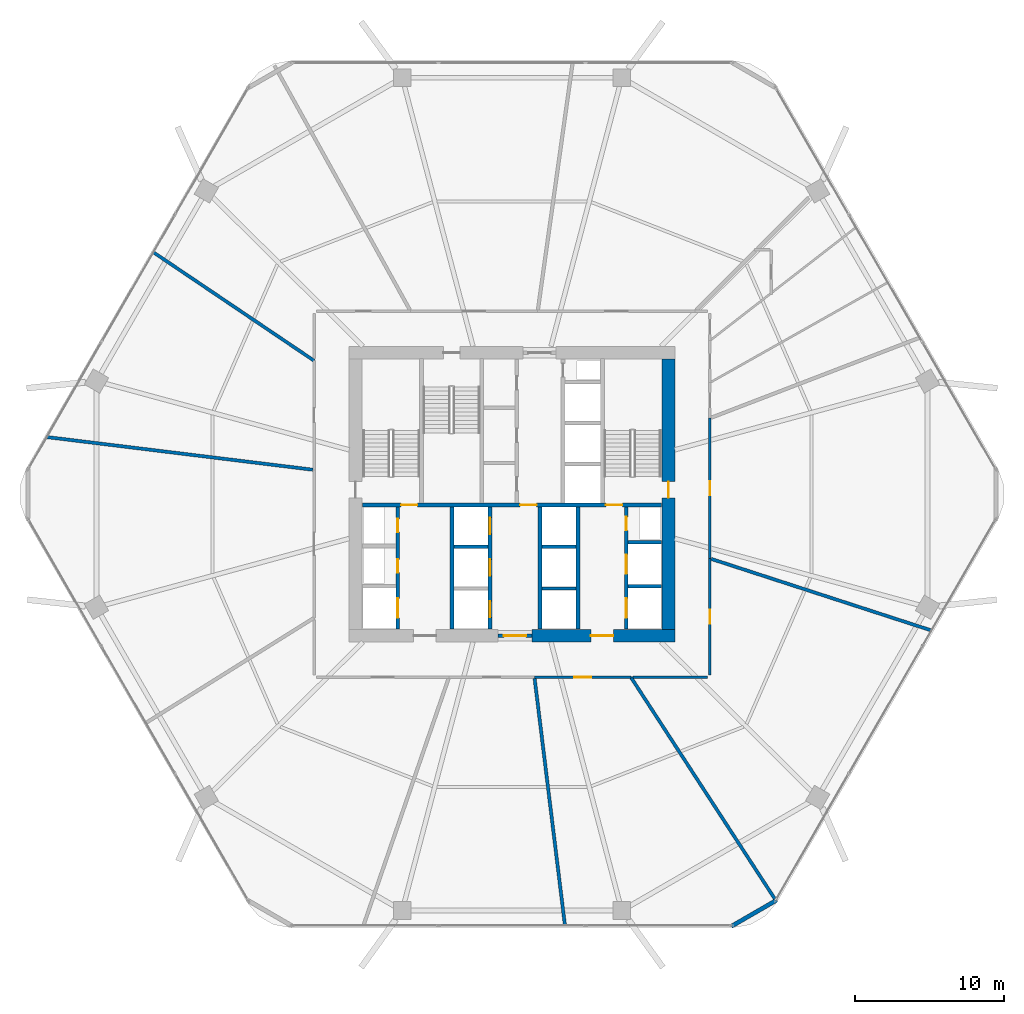
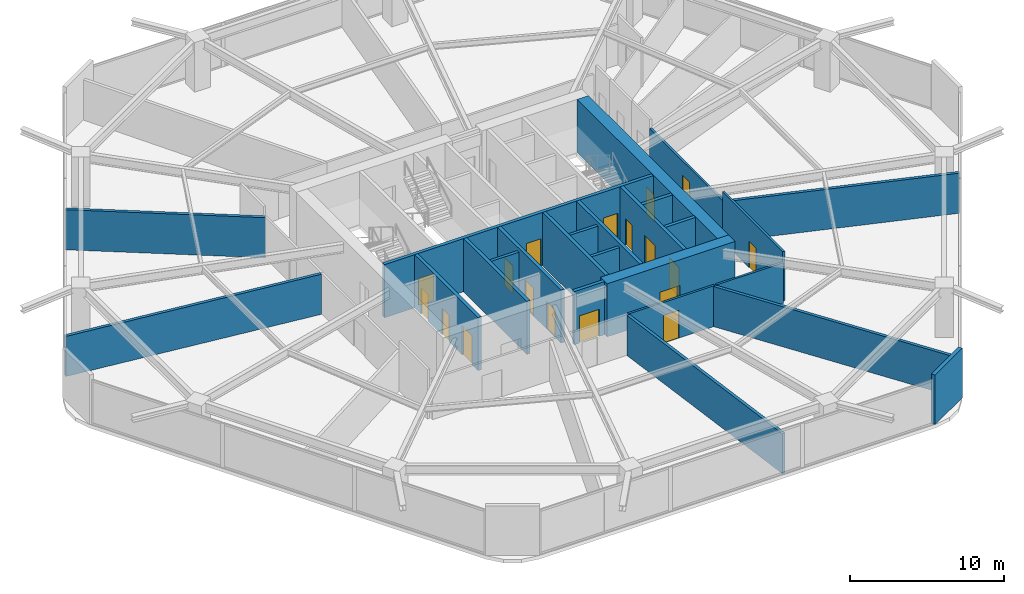
# One storey, part 22 of 25: 25 walls, 18 doors, 18 openings.
"""IFC4 building model written with IfcOpenShell, lengths in metres."""

from ifc_helpers import new_model, si_unit, direction, frame, frame_2d, origin, place, context, subcontext, project, spatial, rectangle, extrude, material, layer, layer_set, type_object, element, fill, save


model = new_model("IFC4")

# Units and contexts
model_context = context("Model", 3, precision=1e-05, world=origin(), true_north=direction((0.0, 1.0)))
body_context = subcontext(model_context, "Body", "Model", "MODEL_VIEW")
ifc_project = project(units=[si_unit("LENGTHUNIT", "METRE"), si_unit("AREAUNIT", "SQUARE_METRE"), si_unit("VOLUMEUNIT", "CUBIC_METRE"), si_unit("PLANEANGLEUNIT", "RADIAN"), si_unit("MASSUNIT", "GRAM", prefix="KILO")], contexts=[model_context])

# Site, building, storey
site_placement = place(None, origin())
site = spatial("IfcSite", under=ifc_project, at=site_placement, CompositionType="ELEMENT")
building_placement = place(site_placement, origin())
building = spatial("IfcBuilding", under=site, at=building_placement, Name="Zuhravey Tower", CompositionType="ELEMENT")
storey_placement = place(building_placement, frame((0.0, 0.0, 20.39990234375)))
storey = spatial("IfcBuildingStorey", under=building, at=storey_placement, Name="L05", CompositionType="ELEMENT", Elevation=20.39990234375)

# Wall, opening, door
ifc_material_1 = material(Name="Concrete C60/75", Category="concrete")
ifc_layer_1 = layer(ifc_material_1, 0.85009765625)
ifc_layer_set_1 = layer_set([ifc_layer_1], Name="Concrete C60/75")
wall_type_1 = type_object("IfcWallType", Name="Core Shear Wall 850", PredefinedType="SHEAR", material=ifc_layer_set_1)
wall_1_placement = place(storey_placement, frame((37.35009765625, 22.5, 0.0), z_axis=(0.0, 0.0, 1.0), x_axis=(1.0, 0.0, 0.0)))
wall_1 = element("IfcWall", 1, at=wall_1_placement, inside=storey, type_object=wall_type_1, Name="L05 South-East Core Shear Wall CW85", PredefinedType="SHEAR", context=body_context, shape_type="SweptSolid", body=[
    extrude(rectangle(XDim=9.574951171875, YDim=0.85009765625, at=frame_2d((4.78759765625, 0.0))), origin(), (0.0, 0.0, 1.0), 4.2001953125),
])
opening_1_placement = place(wall_1_placement, frame((3.949951171875, 0.0, 0.0)))
opening_1 = element("IfcOpeningElement", 2, at=opening_1_placement, cuts=wall_1, Name="Opening FFD1", PredefinedType="OPENING", context=body_context, shape_type="SweptSolid", body=[
    extrude(rectangle(XDim=1.5, YDim=2.14990234375, at=frame_2d((0.75, 1.074951171875))), frame((0.0, 0.43701171875, 0.0), z_axis=(0.0, -1.0, 0.0), x_axis=(1.0, 0.0, 0.0)), (0.0, 0.0, 1.0), 0.8740234375),
])
ifc_material_2 = material(Name="Galvanised fire-rated steel leaf", Category="steel")
door_type_1 = type_object("IfcDoorType", Name="Firefighting Lobby Double Door 1500x2150", OperationType="DOUBLE_DOOR_SINGLE_SWING", PredefinedType="DOOR", material=ifc_material_2)
door_1_placement = place(opening_1_placement, origin())
door_1 = element("IfcDoor", 3, at=door_1_placement, inside=storey, type_object=door_type_1, Name="L05 Firefighting Lobby East Door", OperationType="DOUBLE_DOOR_SINGLE_SWING", OverallHeight=2.14990234375, OverallWidth=1.5, PredefinedType="DOOR", context=body_context, shape_type="SweptSolid", body=[
    extrude(rectangle(XDim=1.5, YDim=2.14990234375, at=frame_2d((0.75, 1.074951171875))), frame((0.0, 0.02490234375, 0.0), z_axis=(0.0, -1.0, 0.0), x_axis=(1.0, 0.0, 0.0)), (0.0, 0.0, 1.0), 0.050048828125),
])
fill(opening_1, door_1)

wall_2_placement = place(storey_placement, frame((46.5, 22.925048828125, 0.0), z_axis=(0.0, 0.0, 1.0), x_axis=(0.0, 1.0, 0.0)))
wall_2 = element("IfcWall", 4, at=wall_2_placement, inside=storey, type_object=wall_type_1, Name="L05 East Core Shear Wall CW85", PredefinedType="SHEAR", context=body_context, shape_type="SweptSolid", body=[
    extrude(rectangle(XDim=18.14990234375, YDim=0.85009765625, at=frame_2d((9.074951171875, 0.0))), origin(), (0.0, 0.0, 1.0), 4.2001953125),
])
opening_2_placement = place(wall_2_placement, frame((8.824951171875, 0.0, 0.0)))
opening_2 = element("IfcOpeningElement", 5, at=opening_2_placement, cuts=wall_2, Name="Opening STD1", PredefinedType="OPENING", context=body_context, shape_type="SweptSolid", body=[
    extrude(rectangle(XDim=1.10009765625, YDim=2.14990234375, at=frame_2d((0.550048828125, 1.074951171875))), frame((0.0, 0.43701171875, 0.0), z_axis=(0.0, -1.0, 0.0), x_axis=(1.0, 0.0, 0.0)), (0.0, 0.0, 1.0), 0.8740234375),
])
door_type_2 = type_object("IfcDoorType", Name="Protected Stair Fire Door 1100x2150", OperationType="NOTDEFINED", PredefinedType="USERDEFINED", material=ifc_material_2)
door_2_placement = place(opening_2_placement, origin())
door_2 = element("IfcDoor", 6, at=door_2_placement, inside=storey, type_object=door_type_2, Name="L05 Stair ST2 Door", ObjectType="EXITDOOR", OperationType="SINGLE_SWING_LEFT", OverallHeight=2.14990234375, OverallWidth=1.10009765625, PredefinedType="USERDEFINED", context=body_context, shape_type="SweptSolid", body=[
    extrude(rectangle(XDim=1.10009765625, YDim=2.14990234375, at=frame_2d((0.550048828125, 1.074951171875))), frame((0.0, 0.02490234375, 0.0), z_axis=(0.0, -1.0, 0.0), x_axis=(1.0, 0.0, 0.0)), (0.0, 0.0, 1.0), 0.050048828125),
])
fill(opening_2, door_2)

ifc_material_3 = material(Name="Gypsum fire-rated stud partition")
ifc_layer_2 = layer(ifc_material_3, 0.159912109375)
ifc_layer_set_2 = layer_set([ifc_layer_2], Name="Gypsum fire-rated stud partition")
wall_type_2 = type_object("IfcWallType", Name="Corridor Fire Partition 160", PredefinedType="PARTITIONING", material=ifc_layer_set_2)
wall_3_placement = place(storey_placement, frame((37.50830078125, 19.715087890625, 0.0), z_axis=(0.0, 0.0, 1.0), x_axis=(1.0, 0.0, 0.0)))
wall_3 = element("IfcWall", 7, at=wall_3_placement, inside=storey, type_object=wall_type_2, Name="L05 IW16 Partition 030", PredefinedType="PARTITIONING", context=body_context, shape_type="SweptSolid", body=[
    extrude(rectangle(XDim=6.4697265625, YDim=0.159912109375, at=frame_2d((3.23486328125, 0.0))), origin(), (0.0, 0.0, 1.0), 3.22021484375),
])
opening_3_placement = place(wall_3_placement, frame((2.659912109375, 0.0, 0.0)))
opening_3 = element("IfcOpeningElement", 8, at=opening_3_placement, cuts=wall_3, Name="Opening CLD1", PredefinedType="OPENING", context=body_context, shape_type="SweptSolid", body=[
    extrude(rectangle(XDim=1.14990234375, YDim=2.199951171875, at=frame_2d((0.574951171875, 1.10009765625))), frame((0.0, 0.092041015625, 0.0), z_axis=(0.0, -1.0, 0.0), x_axis=(1.0, 0.0, 0.0)), (0.0, 0.0, 1.0), 0.183837890625),
])
ifc_material_4 = material(Name="Acoustic timber leaf with vision lite", Category="wood")
door_type_3 = type_object("IfcDoorType", Name="Classroom Acoustic Door 1150x2200", OperationType="NOTDEFINED", PredefinedType="DOOR", material=ifc_material_4)
door_3_placement = place(opening_3_placement, frame((1.14990234375, 0.0, 0.0), z_axis=(0.0, 0.0, 1.0), x_axis=(-1.0, 0.0, 0.0)))
door_3 = element("IfcDoor", 9, at=door_3_placement, inside=storey, type_object=door_type_3, Name="L05 Door 030.1", OperationType="SINGLE_SWING_RIGHT", OverallHeight=2.199951171875, OverallWidth=1.14990234375, PredefinedType="DOOR", context=body_context, shape_type="SweptSolid", body=[
    extrude(rectangle(XDim=1.14990234375, YDim=2.199951171875, at=frame_2d((0.574951171875, 1.10009765625))), frame((0.0, 0.02490234375, 0.0), z_axis=(0.0, -1.0, 0.0), x_axis=(1.0, 0.0, 0.0)), (0.0, 0.0, 1.0), 0.050048828125),
])
fill(opening_3, door_3)

wall_4_placement = place(storey_placement, frame((49.284912109375, 19.875, 0.0), z_axis=(0.0, 0.0, 1.0), x_axis=(0.0, 1.0, 0.0)))
wall_4 = element("IfcWall", 10, at=wall_4_placement, inside=storey, type_object=wall_type_2, Name="L05 IW16 Partition 031", PredefinedType="PARTITIONING", context=body_context, shape_type="SweptSolid", body=[
    extrude(rectangle(XDim=7.808349609375, YDim=0.159912109375, at=frame_2d((3.904296875, 0.0))), origin(), (0.0, 0.0, 1.0), 3.920166015625),
])
opening_4_placement = place(wall_4_placement, frame((3.42919921875, 0.0, 0.0)))
opening_4 = element("IfcOpeningElement", 11, at=opening_4_placement, cuts=wall_4, Name="Opening IND1", PredefinedType="OPENING", context=body_context, shape_type="SweptSolid", body=[
    extrude(rectangle(XDim=0.949951171875, YDim=2.10009765625, at=frame_2d((0.47509765625, 1.050048828125))), frame((0.0, 0.092041015625, 0.0), z_axis=(0.0, -1.0, 0.0), x_axis=(1.0, 0.0, 0.0)), (0.0, 0.0, 1.0), 0.183837890625),
])
ifc_material_5 = material(Name="Painted engineered timber leaf", Category="wood")
door_type_4 = type_object("IfcDoorType", Name="Internal Room & Bedroom Door 950x2100", OperationType="NOTDEFINED", PredefinedType="DOOR", material=ifc_material_5)
door_4_placement = place(opening_4_placement, frame((0.949951171875, 0.0, 0.0), z_axis=(0.0, 0.0, 1.0), x_axis=(-1.0, 0.0, 0.0)))
door_4 = element("IfcDoor", 12, at=door_4_placement, inside=storey, type_object=door_type_4, Name="L05 Door 031.1", OperationType="SINGLE_SWING_LEFT", OverallHeight=2.10009765625, OverallWidth=0.949951171875, PredefinedType="DOOR", context=body_context, shape_type="SweptSolid", body=[
    extrude(rectangle(XDim=0.949951171875, YDim=2.10009765625, at=frame_2d((0.47509765625, 1.050048828125))), frame((0.0, 0.02490234375, 0.0), z_axis=(0.0, -1.0, 0.0), x_axis=(1.0, 0.0, 0.0)), (0.0, 0.0, 1.0), 0.050048828125),
])
fill(opening_4, door_4)

wall_5_placement = place(storey_placement, frame((49.284912109375, 27.683349609375, 0.0), z_axis=(0.0, 0.0, 1.0), x_axis=(0.0, 1.0, 0.0)))
wall_5 = element("IfcWall", 13, at=wall_5_placement, inside=storey, type_object=wall_type_2, Name="L05 IW16 Partition 032", PredefinedType="PARTITIONING", context=body_context, shape_type="SweptSolid", body=[
    extrude(rectangle(XDim=9.416259765625, YDim=0.159912109375, at=frame_2d((4.7080078125, 0.0))), origin(), (0.0, 0.0, 1.0), 3.22021484375),
])
opening_5_placement = place(wall_5_placement, frame((4.233154296875, 0.0, 0.0)))
opening_5 = element("IfcOpeningElement", 14, at=opening_5_placement, cuts=wall_5, Name="Opening IND1", PredefinedType="OPENING", context=body_context, shape_type="SweptSolid", body=[
    extrude(rectangle(XDim=0.949951171875, YDim=2.10009765625, at=frame_2d((0.47509765625, 1.050048828125))), frame((0.0, 0.092041015625, 0.0), z_axis=(0.0, -1.0, 0.0), x_axis=(1.0, 0.0, 0.0)), (0.0, 0.0, 1.0), 0.183837890625),
])
door_5_placement = place(opening_5_placement, frame((0.949951171875, 0.0, 0.0), z_axis=(0.0, 0.0, 1.0), x_axis=(-1.0, 0.0, 0.0)))
door_5 = element("IfcDoor", 15, at=door_5_placement, inside=storey, type_object=door_type_4, Name="L05 Door 032.1", OperationType="SINGLE_SWING_RIGHT", OverallHeight=2.10009765625, OverallWidth=0.949951171875, PredefinedType="DOOR", context=body_context, shape_type="SweptSolid", body=[
    extrude(rectangle(XDim=0.949951171875, YDim=2.10009765625, at=frame_2d((0.47509765625, 1.050048828125))), frame((0.0, 0.02490234375, 0.0), z_axis=(0.0, -1.0, 0.0), x_axis=(1.0, 0.0, 0.0)), (0.0, 0.0, 1.0), 0.050048828125),
])
fill(opening_5, door_5)

# Walls
wall_6_placement = place(storey_placement, frame((44.11865234375, 19.715087890625, 0.0), z_axis=(0.0, 0.0, 1.0), x_axis=(1.0, 0.0, 0.0)))
element("IfcWall", 16, at=wall_6_placement, inside=storey, type_object=wall_type_2, Name="L05 IW16 Partition 061", PredefinedType="PARTITIONING", context=body_context, shape_type="SweptSolid", body=[
    extrude(rectangle(XDim=5.00634765625, YDim=0.159912109375, at=frame_2d((2.503173828125, 0.0))), origin(), (0.0, 0.0, 1.0), 3.22021484375),
])
ifc_material_6 = material(Name="Precast concrete C40/50", Category="concrete")
ifc_layer_3 = layer(ifc_material_6, 0.280029296875)
ifc_layer_set_3 = layer_set([ifc_layer_3], Name="Precast concrete C40/50")
wall_type_3 = type_object("IfcWallType", Name="Crown Architectural Wall 280", PredefinedType="SOLIDWALL", material=ifc_layer_set_3)
wall_7_placement = place(storey_placement, frame((53.76123046875, 4.75146484375, 0.0), z_axis=(0.0, 0.0, 1.0), x_axis=(-0.866007452331, -0.500031091541, 0.0)))
element("IfcWall", 17, at=wall_7_placement, inside=storey, type_object=wall_type_3, Name="L05 Rounded Corner Closure Wall EW28-02", PredefinedType="SOLIDWALL", context=body_context, shape_type="SweptSolid", body=[
    extrude(rectangle(XDim=3.514892578125, YDim=0.280029296875, at=frame_2d((1.75732421875, 0.0))), origin(), (0.0, 0.0, 1.0), 3.920166015625),
])

# Wall, opening, door
ifc_material_7 = material(Name="Concrete C50/60", Category="concrete")
ifc_layer_4 = layer(ifc_material_7, 0.25)
ifc_layer_set_4 = layer_set([ifc_layer_4], Name="Concrete C50/60")
wall_type_4 = type_object("IfcWallType", Name="Firefighting Shaft & Stair Wall 250", PredefinedType="SOLIDWALL", material=ifc_layer_set_4)
wall_8_placement = place(storey_placement, frame((35.06005859375, 22.5, 0.0), z_axis=(0.0, 0.0, 1.0), x_axis=(1.0, 0.0, 0.0)))
wall_8 = element("IfcWall", 18, at=wall_8_placement, inside=storey, type_object=wall_type_4, Name="L05 FW25 Shaft Wall 001", PredefinedType="SOLIDWALL", context=body_context, shape_type="SweptSolid", body=[
    extrude(rectangle(XDim=2.280029296875, YDim=0.25, at=frame_2d((1.14013671875, 0.0))), origin(), (0.0, 0.0, 1.0), 4.2001953125),
])
opening_6_placement = place(wall_8_placement, frame((0.389892578125, 0.0, 0.0)))
opening_6 = element("IfcOpeningElement", 19, at=opening_6_placement, cuts=wall_8, Name="Opening FFD1", PredefinedType="OPENING", context=body_context, shape_type="SweptSolid", body=[
    extrude(rectangle(XDim=1.5, YDim=2.14990234375, at=frame_2d((0.75, 1.074951171875))), frame((0.0, 0.136962890625, 0.0), z_axis=(0.0, -1.0, 0.0), x_axis=(1.0, 0.0, 0.0)), (0.0, 0.0, 1.0), 0.27392578125),
])
door_6_placement = place(opening_6_placement, frame((1.5, 0.0, 0.0), z_axis=(0.0, 0.0, 1.0), x_axis=(-1.0, 0.0, 0.0)))
door_6 = element("IfcDoor", 20, at=door_6_placement, inside=storey, type_object=door_type_1, Name="L05 South Lift Lobby Exit Door", OperationType="DOUBLE_DOOR_SINGLE_SWING", OverallHeight=2.14990234375, OverallWidth=1.5, PredefinedType="DOOR", context=body_context, shape_type="SweptSolid", body=[
    extrude(rectangle(XDim=1.5, YDim=2.14990234375, at=frame_2d((0.75, 1.074951171875))), frame((0.0, 0.02490234375, 0.0), z_axis=(0.0, -1.0, 0.0), x_axis=(1.0, 0.0, 0.0)), (0.0, 0.0, 1.0), 0.050048828125),
])
fill(opening_6, door_6)

# Wall, openings, doors
wall_9_placement = place(storey_placement, frame((25.949951171875, 31.27490234375, 0.0), z_axis=(0.0, 0.0, 1.0), x_axis=(1.0, 0.0, 0.0)))
wall_9 = element("IfcWall", 21, at=wall_9_placement, inside=storey, type_object=wall_type_4, Name="L05 FW25 Shaft Wall 003", PredefinedType="SOLIDWALL", context=body_context, shape_type="SweptSolid", body=[
    extrude(rectangle(XDim=20.10009765625, YDim=0.25, at=frame_2d((10.050048828125, 0.0))), origin(), (0.0, 0.0, 1.0), 4.2001953125),
])
opening_7_placement = place(wall_9_placement, frame((2.60009765625, 0.0, 0.0)))
opening_7 = element("IfcOpeningElement", 22, at=opening_7_placement, cuts=wall_9, Name="Opening STD1", PredefinedType="OPENING", context=body_context, shape_type="SweptSolid", body=[
    extrude(rectangle(XDim=1.10009765625, YDim=2.14990234375, at=frame_2d((0.550048828125, 1.074951171875))), frame((0.0, 0.136962890625, 0.0), z_axis=(0.0, -1.0, 0.0), x_axis=(1.0, 0.0, 0.0)), (0.0, 0.0, 1.0), 0.27392578125),
])
opening_8_placement = place(wall_9_placement, frame((10.60009765625, 0.0, 0.0)))
opening_8 = element("IfcOpeningElement", 23, at=opening_8_placement, cuts=wall_9, Name="Opening STD1", PredefinedType="OPENING", context=body_context, shape_type="SweptSolid", body=[
    extrude(rectangle(XDim=1.10009765625, YDim=2.14990234375, at=frame_2d((0.550048828125, 1.074951171875))), frame((0.0, 0.136962890625, 0.0), z_axis=(0.0, -1.0, 0.0), x_axis=(1.0, 0.0, 0.0)), (0.0, 0.0, 1.0), 0.27392578125),
])
opening_9_placement = place(wall_9_placement, frame((16.35009765625, 0.0, 0.0)))
opening_9 = element("IfcOpeningElement", 24, at=opening_9_placement, cuts=wall_9, Name="Opening STD1", PredefinedType="OPENING", context=body_context, shape_type="SweptSolid", body=[
    extrude(rectangle(XDim=1.10009765625, YDim=2.14990234375, at=frame_2d((0.550048828125, 1.074951171875))), frame((0.0, 0.136962890625, 0.0), z_axis=(0.0, -1.0, 0.0), x_axis=(1.0, 0.0, 0.0)), (0.0, 0.0, 1.0), 0.27392578125),
])
door_7_placement = place(opening_7_placement, origin())
door_7 = element("IfcDoor", 25, at=door_7_placement, inside=storey, type_object=door_type_2, Name="L05 FFL-W to ST1 Door", ObjectType="EXITDOOR", OperationType="SINGLE_SWING_LEFT", OverallHeight=2.14990234375, OverallWidth=1.10009765625, PredefinedType="USERDEFINED", context=body_context, shape_type="SweptSolid", body=[
    extrude(rectangle(XDim=1.10009765625, YDim=2.14990234375, at=frame_2d((0.550048828125, 1.074951171875))), frame((0.0, 0.02490234375, 0.0), z_axis=(0.0, -1.0, 0.0), x_axis=(1.0, 0.0, 0.0)), (0.0, 0.0, 1.0), 0.050048828125),
])
fill(opening_7, door_7)
door_8_placement = place(opening_8_placement, origin())
door_8 = element("IfcDoor", 26, at=door_8_placement, inside=storey, type_object=door_type_2, Name="L05 Core Lobby Link Door", ObjectType="EXITDOOR", OperationType="SINGLE_SWING_RIGHT", OverallHeight=2.14990234375, OverallWidth=1.10009765625, PredefinedType="USERDEFINED", context=body_context, shape_type="SweptSolid", body=[
    extrude(rectangle(XDim=1.10009765625, YDim=2.14990234375, at=frame_2d((0.550048828125, 1.074951171875))), frame((0.0, 0.02490234375, 0.0), z_axis=(0.0, -1.0, 0.0), x_axis=(1.0, 0.0, 0.0)), (0.0, 0.0, 1.0), 0.050048828125),
])
fill(opening_8, door_8)
door_9_placement = place(opening_9_placement, origin())
door_9 = element("IfcDoor", 27, at=door_9_placement, inside=storey, type_object=door_type_2, Name="L05 FFL-E to ST2 Door", ObjectType="EXITDOOR", OperationType="SINGLE_SWING_LEFT", OverallHeight=2.14990234375, OverallWidth=1.10009765625, PredefinedType="USERDEFINED", context=body_context, shape_type="SweptSolid", body=[
    extrude(rectangle(XDim=1.10009765625, YDim=2.14990234375, at=frame_2d((0.550048828125, 1.074951171875))), frame((0.0, 0.02490234375, 0.0), z_axis=(0.0, -1.0, 0.0), x_axis=(1.0, 0.0, 0.0)), (0.0, 0.0, 1.0), 0.050048828125),
])
fill(opening_9, door_9)

wall_10_placement = place(storey_placement, frame((28.324951171875, 22.949951171875, 0.0), z_axis=(0.0, 0.0, 1.0), x_axis=(0.0, 1.0, 0.0)))
wall_10 = element("IfcWall", 28, at=wall_10_placement, inside=storey, type_object=wall_type_4, Name="L05 FW25 Shaft Wall 011", PredefinedType="SOLIDWALL", context=body_context, shape_type="SweptSolid", body=[
    extrude(rectangle(XDim=8.199951171875, YDim=0.25, at=frame_2d((4.10009765625, 0.0))), origin(), (0.0, 0.0, 1.0), 4.2001953125),
])
opening_10_placement = place(wall_10_placement, frame((0.75, 0.0, 0.0)))
opening_10 = element("IfcOpeningElement", 29, at=opening_10_placement, cuts=wall_10, Name="Opening LD2", PredefinedType="OPENING", context=body_context, shape_type="SweptSolid", body=[
    extrude(rectangle(XDim=1.300048828125, YDim=2.300048828125, at=frame_2d((0.64990234375, 1.14990234375))), frame((0.0, 0.136962890625, 0.0), z_axis=(0.0, -1.0, 0.0), x_axis=(1.0, 0.0, 0.0)), (0.0, 0.0, 1.0), 0.27392578125),
])
opening_11_placement = place(wall_10_placement, frame((3.780029296875, 0.0, 0.0)))
opening_11 = element("IfcOpeningElement", 30, at=opening_11_placement, cuts=wall_10, Name="Opening RSD1", PredefinedType="OPENING", context=body_context, shape_type="SweptSolid", body=[
    extrude(rectangle(XDim=0.89990234375, YDim=2.10009765625, at=frame_2d((0.449951171875, 1.050048828125))), frame((0.0, 0.136962890625, 0.0), z_axis=(0.0, -1.0, 0.0), x_axis=(1.0, 0.0, 0.0)), (0.0, 0.0, 1.0), 0.27392578125),
])
opening_12_placement = place(wall_10_placement, frame((6.5, 0.0, 0.0)))
opening_12 = element("IfcOpeningElement", 31, at=opening_12_placement, cuts=wall_10, Name="Opening RSD1", PredefinedType="OPENING", context=body_context, shape_type="SweptSolid", body=[
    extrude(rectangle(XDim=0.89990234375, YDim=2.10009765625, at=frame_2d((0.449951171875, 1.050048828125))), frame((0.0, 0.136962890625, 0.0), z_axis=(0.0, -1.0, 0.0), x_axis=(1.0, 0.0, 0.0)), (0.0, 0.0, 1.0), 0.27392578125),
])
ifc_material_8 = material(Name="Brushed stainless steel", Category="steel")
door_type_5 = type_object("IfcDoorType", Name="Freight & Stretcher Lift Sliding Door 1300x2300", OperationType="DOUBLE_DOOR_SLIDING", PredefinedType="DOOR", material=ifc_material_8)
door_10_placement = place(opening_10_placement, frame((1.300048828125, 0.0, 0.0), z_axis=(0.0, 0.0, 1.0), x_axis=(-1.0, 0.0, 0.0)))
door_10 = element("IfcDoor", 32, at=door_10_placement, inside=storey, type_object=door_type_5, Name="L05 Lift FF1 Landing Door", OperationType="DOUBLE_DOOR_SLIDING", OverallHeight=2.300048828125, OverallWidth=1.300048828125, PredefinedType="DOOR", context=body_context, shape_type="SweptSolid", body=[
    extrude(rectangle(XDim=1.300048828125, YDim=2.300048828125, at=frame_2d((0.64990234375, 1.14990234375))), frame((0.0, 0.02490234375, 0.0), z_axis=(0.0, -1.0, 0.0), x_axis=(1.0, 0.0, 0.0)), (0.0, 0.0, 1.0), 0.050048828125),
])
fill(opening_10, door_10)
ifc_material_9 = material(Name="Galvanised fire-rated steel access leaf", Category="steel")
door_type_6 = type_object("IfcDoorType", Name="Riser & Shaft Access Fire Door 900x2100", OperationType="NOTDEFINED", PredefinedType="DOOR", material=ifc_material_9)
door_11_placement = place(opening_11_placement, frame((0.89990234375, 0.0, 0.0), z_axis=(0.0, 0.0, 1.0), x_axis=(-1.0, 0.0, 0.0)))
door_11 = element("IfcDoor", 33, at=door_11_placement, inside=storey, type_object=door_type_6, Name="L05 Electrical Riser Door", OperationType="SINGLE_SWING_RIGHT", OverallHeight=2.10009765625, OverallWidth=0.89990234375, PredefinedType="DOOR", context=body_context, shape_type="SweptSolid", body=[
    extrude(rectangle(XDim=0.89990234375, YDim=2.10009765625, at=frame_2d((0.449951171875, 1.050048828125))), frame((0.0, 0.02490234375, 0.0), z_axis=(0.0, -1.0, 0.0), x_axis=(1.0, 0.0, 0.0)), (0.0, 0.0, 1.0), 0.050048828125),
])
fill(opening_11, door_11)
door_12_placement = place(opening_12_placement, frame((0.89990234375, 0.0, 0.0), z_axis=(0.0, 0.0, 1.0), x_axis=(-1.0, 0.0, 0.0)))
door_12 = element("IfcDoor", 34, at=door_12_placement, inside=storey, type_object=door_type_6, Name="L05 Smoke Shaft Access Door", OperationType="SINGLE_SWING_LEFT", OverallHeight=2.10009765625, OverallWidth=0.89990234375, PredefinedType="DOOR", context=body_context, shape_type="SweptSolid", body=[
    extrude(rectangle(XDim=0.89990234375, YDim=2.10009765625, at=frame_2d((0.449951171875, 1.050048828125))), frame((0.0, 0.02490234375, 0.0), z_axis=(0.0, -1.0, 0.0), x_axis=(1.0, 0.0, 0.0)), (0.0, 0.0, 1.0), 0.050048828125),
])
fill(opening_12, door_12)

# Wall
wall_11_placement = place(storey_placement, frame((31.97509765625, 22.949951171875, 0.0), z_axis=(0.0, 0.0, 1.0), x_axis=(0.0, 1.0, 0.0)))
element("IfcWall", 35, at=wall_11_placement, inside=storey, type_object=wall_type_4, Name="L05 FW25 Shaft Wall 012", PredefinedType="SOLIDWALL", context=body_context, shape_type="SweptSolid", body=[
    extrude(rectangle(XDim=8.199951171875, YDim=0.25, at=frame_2d((4.10009765625, 0.0))), origin(), (0.0, 0.0, 1.0), 4.2001953125),
])

# Wall, openings, doors
wall_12_placement = place(storey_placement, frame((34.52490234375, 22.949951171875, 0.0), z_axis=(0.0, 0.0, 1.0), x_axis=(0.0, 1.0, 0.0)))
wall_12 = element("IfcWall", 36, at=wall_12_placement, inside=storey, type_object=wall_type_4, Name="L05 FW25 Shaft Wall 013", PredefinedType="SOLIDWALL", context=body_context, shape_type="SweptSolid", body=[
    extrude(rectangle(XDim=8.199951171875, YDim=0.25, at=frame_2d((4.10009765625, 0.0))), origin(), (0.0, 0.0, 1.0), 4.2001953125),
])
opening_13_placement = place(wall_12_placement, frame((0.77490234375, 0.0, 0.0)))
opening_13 = element("IfcOpeningElement", 37, at=opening_13_placement, cuts=wall_12, Name="Opening LD1", PredefinedType="OPENING", context=body_context, shape_type="SweptSolid", body=[
    extrude(rectangle(XDim=1.10009765625, YDim=2.199951171875, at=frame_2d((0.550048828125, 1.10009765625))), frame((0.0, 0.136962890625, 0.0), z_axis=(0.0, -1.0, 0.0), x_axis=(1.0, 0.0, 0.0)), (0.0, 0.0, 1.0), 0.27392578125),
])
opening_14_placement = place(wall_12_placement, frame((3.574951171875, 0.0, 0.0)))
opening_14 = element("IfcOpeningElement", 38, at=opening_14_placement, cuts=wall_12, Name="Opening LD1", PredefinedType="OPENING", context=body_context, shape_type="SweptSolid", body=[
    extrude(rectangle(XDim=1.10009765625, YDim=2.199951171875, at=frame_2d((0.550048828125, 1.10009765625))), frame((0.0, 0.136962890625, 0.0), z_axis=(0.0, -1.0, 0.0), x_axis=(1.0, 0.0, 0.0)), (0.0, 0.0, 1.0), 0.27392578125),
])
opening_15_placement = place(wall_12_placement, frame((6.375, 0.0, 0.0)))
opening_15 = element("IfcOpeningElement", 39, at=opening_15_placement, cuts=wall_12, Name="Opening LD1", PredefinedType="OPENING", context=body_context, shape_type="SweptSolid", body=[
    extrude(rectangle(XDim=1.10009765625, YDim=2.199951171875, at=frame_2d((0.550048828125, 1.10009765625))), frame((0.0, 0.136962890625, 0.0), z_axis=(0.0, -1.0, 0.0), x_axis=(1.0, 0.0, 0.0)), (0.0, 0.0, 1.0), 0.27392578125),
])
door_type_7 = type_object("IfcDoorType", Name="Lift Landing Sliding Door 1100x2200", OperationType="DOUBLE_DOOR_SLIDING", PredefinedType="DOOR", material=ifc_material_8)
door_13_placement = place(opening_13_placement, frame((1.10009765625, 0.0, 0.0), z_axis=(0.0, 0.0, 1.0), x_axis=(-1.0, 0.0, 0.0)))
door_13 = element("IfcDoor", 40, at=door_13_placement, inside=storey, type_object=door_type_7, Name="L05 Lift PL1 Landing Door", OperationType="DOUBLE_DOOR_SLIDING", OverallHeight=2.199951171875, OverallWidth=1.10009765625, PredefinedType="DOOR", context=body_context, shape_type="SweptSolid", body=[
    extrude(rectangle(XDim=1.10009765625, YDim=2.199951171875, at=frame_2d((0.550048828125, 1.10009765625))), frame((0.0, 0.02490234375, 0.0), z_axis=(0.0, -1.0, 0.0), x_axis=(1.0, 0.0, 0.0)), (0.0, 0.0, 1.0), 0.050048828125),
])
fill(opening_13, door_13)
door_14_placement = place(opening_14_placement, frame((1.10009765625, 0.0, 0.0), z_axis=(0.0, 0.0, 1.0), x_axis=(-1.0, 0.0, 0.0)))
door_14 = element("IfcDoor", 41, at=door_14_placement, inside=storey, type_object=door_type_7, Name="L05 Lift PL2 Landing Door", OperationType="DOUBLE_DOOR_SLIDING", OverallHeight=2.199951171875, OverallWidth=1.10009765625, PredefinedType="DOOR", context=body_context, shape_type="SweptSolid", body=[
    extrude(rectangle(XDim=1.10009765625, YDim=2.199951171875, at=frame_2d((0.550048828125, 1.10009765625))), frame((0.0, 0.02490234375, 0.0), z_axis=(0.0, -1.0, 0.0), x_axis=(1.0, 0.0, 0.0)), (0.0, 0.0, 1.0), 0.050048828125),
])
fill(opening_14, door_14)
door_15_placement = place(opening_15_placement, frame((1.10009765625, 0.0, 0.0), z_axis=(0.0, 0.0, 1.0), x_axis=(-1.0, 0.0, 0.0)))
door_15 = element("IfcDoor", 42, at=door_15_placement, inside=storey, type_object=door_type_7, Name="L05 Lift PL3 Landing Door", OperationType="DOUBLE_DOOR_SLIDING", OverallHeight=2.199951171875, OverallWidth=1.10009765625, PredefinedType="DOOR", context=body_context, shape_type="SweptSolid", body=[
    extrude(rectangle(XDim=1.10009765625, YDim=2.199951171875, at=frame_2d((0.550048828125, 1.10009765625))), frame((0.0, 0.02490234375, 0.0), z_axis=(0.0, -1.0, 0.0), x_axis=(1.0, 0.0, 0.0)), (0.0, 0.0, 1.0), 0.050048828125),
])
fill(opening_15, door_15)

# Walls
for number, where, z_axis, x_axis, name in (
    (43, (37.875, 22.949951171875, 0.0), (0.0, 0.0, 1.0), (0.0, 1.0, 0.0), "L05 FW25 Shaft Wall 014"),
    (44, (40.425048828125, 22.949951171875, 0.0), (0.0, 0.0, 1.0), (0.0, 1.0, 0.0), "L05 FW25 Shaft Wall 015"),
):
    element("IfcWall", number, at=place(storey_placement, frame(where, z_axis=z_axis, x_axis=x_axis)), inside=storey, type_object=wall_type_4, Name=name, PredefinedType="SOLIDWALL", context=body_context, shape_type="SweptSolid", body=[
        extrude(rectangle(XDim=8.199951171875, YDim=0.25, at=frame_2d((4.10009765625, 0.0))), origin(), (0.0, 0.0, 1.0), 4.2001953125),
    ])
for number, where, z_axis, x_axis, name in (
    (45, (43.800048828125, 25.824951171875, 0.0), (0.0, 0.0, 1.0), (1.0, 0.0, 0.0), "L05 FW25 Shaft Wall 016"),
    (46, (43.800048828125, 28.77490234375, 0.0), (0.0, 0.0, 1.0), (1.0, 0.0, 0.0), "L05 FW25 Shaft Wall 017"),
):
    element("IfcWall", number, at=place(storey_placement, frame(where, z_axis=z_axis, x_axis=x_axis)), inside=storey, type_object=wall_type_4, Name=name, PredefinedType="SOLIDWALL", context=body_context, shape_type="SweptSolid", body=[
        extrude(rectangle(XDim=2.25, YDim=0.25, at=frame_2d((1.125, 0.0))), origin(), (0.0, 0.0, 1.0), 4.2001953125),
    ])

# Wall, openings, doors
wall_13_placement = place(storey_placement, frame((43.675048828125, 22.949951171875, 0.0), z_axis=(0.0, 0.0, 1.0), x_axis=(0.0, 1.0, 0.0)))
wall_13 = element("IfcWall", 47, at=wall_13_placement, inside=storey, type_object=wall_type_4, Name="L05 FW25 Shaft Wall 018", PredefinedType="SOLIDWALL", context=body_context, shape_type="SweptSolid", body=[
    extrude(rectangle(XDim=8.199951171875, YDim=0.25, at=frame_2d((4.10009765625, 0.0))), origin(), (0.0, 0.0, 1.0), 4.2001953125),
])
opening_16_placement = place(wall_13_placement, frame((0.75, 0.0, 0.0)))
opening_16 = element("IfcOpeningElement", 48, at=opening_16_placement, cuts=wall_13, Name="Opening LD2", PredefinedType="OPENING", context=body_context, shape_type="SweptSolid", body=[
    extrude(rectangle(XDim=1.300048828125, YDim=2.300048828125, at=frame_2d((0.64990234375, 1.14990234375))), frame((0.0, 0.136962890625, 0.0), z_axis=(0.0, -1.0, 0.0), x_axis=(1.0, 0.0, 0.0)), (0.0, 0.0, 1.0), 0.27392578125),
])
opening_17_placement = place(wall_13_placement, frame((3.699951171875, 0.0, 0.0)))
opening_17 = element("IfcOpeningElement", 49, at=opening_17_placement, cuts=wall_13, Name="Opening LD2", PredefinedType="OPENING", context=body_context, shape_type="SweptSolid", body=[
    extrude(rectangle(XDim=1.300048828125, YDim=2.300048828125, at=frame_2d((0.64990234375, 1.14990234375))), frame((0.0, 0.136962890625, 0.0), z_axis=(0.0, -1.0, 0.0), x_axis=(1.0, 0.0, 0.0)), (0.0, 0.0, 1.0), 0.27392578125),
])
opening_18_placement = place(wall_13_placement, frame((6.6201171875, 0.0, 0.0)))
opening_18 = element("IfcOpeningElement", 50, at=opening_18_placement, cuts=wall_13, Name="Opening RSD1", PredefinedType="OPENING", context=body_context, shape_type="SweptSolid", body=[
    extrude(rectangle(XDim=0.89990234375, YDim=2.10009765625, at=frame_2d((0.449951171875, 1.050048828125))), frame((0.0, 0.136962890625, 0.0), z_axis=(0.0, -1.0, 0.0), x_axis=(1.0, 0.0, 0.0)), (0.0, 0.0, 1.0), 0.27392578125),
])
door_16_placement = place(opening_16_placement, origin())
door_16 = element("IfcDoor", 51, at=door_16_placement, inside=storey, type_object=door_type_5, Name="L05 Lift FF2 Landing Door", OperationType="DOUBLE_DOOR_SLIDING", OverallHeight=2.300048828125, OverallWidth=1.300048828125, PredefinedType="DOOR", context=body_context, shape_type="SweptSolid", body=[
    extrude(rectangle(XDim=1.300048828125, YDim=2.300048828125, at=frame_2d((0.64990234375, 1.14990234375))), frame((0.0, 0.02490234375, 0.0), z_axis=(0.0, -1.0, 0.0), x_axis=(1.0, 0.0, 0.0)), (0.0, 0.0, 1.0), 0.050048828125),
])
fill(opening_16, door_16)
door_17_placement = place(opening_17_placement, origin())
door_17 = element("IfcDoor", 52, at=door_17_placement, inside=storey, type_object=door_type_5, Name="L05 Lift SV1 Landing Door", OperationType="DOUBLE_DOOR_SLIDING", OverallHeight=2.300048828125, OverallWidth=1.300048828125, PredefinedType="DOOR", context=body_context, shape_type="SweptSolid", body=[
    extrude(rectangle(XDim=1.300048828125, YDim=2.300048828125, at=frame_2d((0.64990234375, 1.14990234375))), frame((0.0, 0.02490234375, 0.0), z_axis=(0.0, -1.0, 0.0), x_axis=(1.0, 0.0, 0.0)), (0.0, 0.0, 1.0), 0.050048828125),
])
fill(opening_17, door_17)
door_18_placement = place(opening_18_placement, origin())
door_18 = element("IfcDoor", 53, at=door_18_placement, inside=storey, type_object=door_type_6, Name="L05 Plumbing Riser Door", OperationType="SINGLE_SWING_RIGHT", OverallHeight=2.10009765625, OverallWidth=0.89990234375, PredefinedType="DOOR", context=body_context, shape_type="SweptSolid", body=[
    extrude(rectangle(XDim=0.89990234375, YDim=2.10009765625, at=frame_2d((0.449951171875, 1.050048828125))), frame((0.0, 0.02490234375, 0.0), z_axis=(0.0, -1.0, 0.0), x_axis=(1.0, 0.0, 0.0)), (0.0, 0.0, 1.0), 0.050048828125),
])
fill(opening_18, door_18)

# Walls
ifc_material_10 = material(Name="Gypsum acoustic stud assembly")
ifc_layer_5 = layer(ifc_material_10, 0.219970703125)
ifc_layer_set_5 = layer_set([ifc_layer_5], Name="Gypsum acoustic stud assembly")
wall_type_5 = type_object("IfcWallType", Name="School Acoustic Compartment Wall 220", PredefinedType="PARTITIONING", material=ifc_layer_set_5)
wall_14_placement = place(storey_placement, frame((32.10791015625, 28.47509765625, 0.0), z_axis=(0.0, 0.0, 1.0), x_axis=(1.0, 0.0, 0.0)))
element("IfcWall", 54, at=wall_14_placement, inside=storey, type_object=wall_type_5, Name="L05 IW22 Partition 039", PredefinedType="PARTITIONING", context=body_context, shape_type="SweptSolid", body=[
    extrude(rectangle(XDim=2.2841796875, YDim=0.219970703125, at=frame_2d((1.14208984375, 0.0))), origin(), (0.0, 0.0, 1.0), 3.920166015625),
])
for number, where, z_axis, x_axis, name in (
    (55, (38.008056640625, 25.675048828125, 0.0), (0.0, 0.0, 1.0), (1.0, 0.0, 0.0), "L05 IW22 Partition 040"),
    (56, (38.008056640625, 28.47509765625, 0.0), (0.0, 0.0, 1.0), (1.0, 0.0, 0.0), "L05 IW22 Partition 041"),
):
    element("IfcWall", number, at=place(storey_placement, frame(where, z_axis=z_axis, x_axis=x_axis)), inside=storey, type_object=wall_type_5, Name=name, PredefinedType="PARTITIONING", context=body_context, shape_type="SweptSolid", body=[
        extrude(rectangle(XDim=2.283935546875, YDim=0.219970703125, at=frame_2d((1.14208984375, 0.0))), origin(), (0.0, 0.0, 1.0), 3.920166015625),
    ])
wall_15_placement = place(storey_placement, frame((22.715087890625, 40.960693359375, 0.0), z_axis=(0.0, 0.0, 1.0), x_axis=(-0.829037316792, 0.559193282654, 0.0)))
element("IfcWall", 57, at=wall_15_placement, inside=storey, type_object=wall_type_5, Name="L05 IW22 Partition 052", PredefinedType="PARTITIONING", context=body_context, shape_type="SweptSolid", body=[
    extrude(rectangle(XDim=13.0048828125, YDim=0.219970703125, at=frame_2d((6.50244140625, 0.0))), origin(), (0.0, 0.0, 1.0), 3.170166015625),
])
wall_16_placement = place(storey_placement, frame((22.626953125, 33.64208984375, 0.0), z_axis=(0.0, 0.0, 1.0), x_axis=(-0.99254636489, 0.121867606624, 0.0)))
element("IfcWall", 58, at=wall_16_placement, inside=storey, type_object=wall_type_5, Name="L05 IW22 Partition 054", PredefinedType="PARTITIONING", context=body_context, shape_type="SweptSolid", body=[
    extrude(rectangle(XDim=17.98583984375, YDim=0.219970703125, at=frame_2d((8.992919921875, 0.0))), origin(), (0.0, 0.0, 1.0), 3.170166015625),
])
wall_17_placement = place(storey_placement, frame((37.519287109375, 19.626953125, 0.0), z_axis=(0.0, 0.0, 1.0), x_axis=(0.121865797427, -0.992546587026, 0.0)))
element("IfcWall", 59, at=wall_17_placement, inside=storey, type_object=wall_type_5, Name="L05 IW22 Partition 058", PredefinedType="PARTITIONING", context=body_context, shape_type="SweptSolid", body=[
    extrude(rectangle(XDim=16.7099609375, YDim=0.219970703125, at=frame_2d((8.35498046875, 0.0))), origin(), (0.0, 0.0, 1.0), 3.170166015625),
])
wall_18_placement = place(storey_placement, frame((43.97802734375, 19.715087890625, 0.0), z_axis=(0.0, 0.0, 1.0), x_axis=(0.544630677499, -0.838675995321, 0.0)))
element("IfcWall", 60, at=wall_18_placement, inside=storey, type_object=wall_type_5, Name="L05 IW22 Partition 059", PredefinedType="PARTITIONING", context=body_context, shape_type="SweptSolid", body=[
    extrude(rectangle(XDim=17.852783203125, YDim=0.219970703125, at=frame_2d((8.92626953125, 0.0))), origin(), (0.0, 0.0, 1.0), 3.170166015625),
])
wall_19_placement = place(storey_placement, frame((49.373046875, 27.65478515625, 0.0), z_axis=(0.0, 0.0, 1.0), x_axis=(0.951055880984, -0.309018949654, 0.0)))
element("IfcWall", 61, at=wall_19_placement, inside=storey, type_object=wall_type_5, Name="L05 IW22 Partition 060", PredefinedType="PARTITIONING", context=body_context, shape_type="SweptSolid", body=[
    extrude(rectangle(XDim=15.544189453125, YDim=0.219970703125, at=frame_2d((7.77197265625, 0.0))), origin(), (0.0, 0.0, 1.0), 3.170166015625),
])

save(model, "model.ifc")
